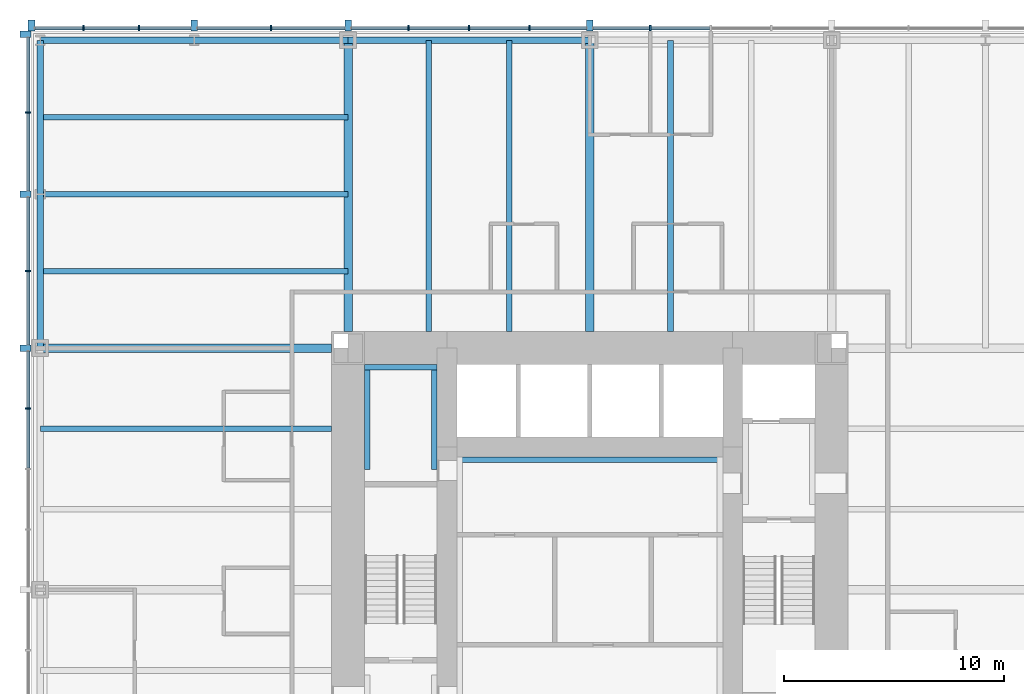
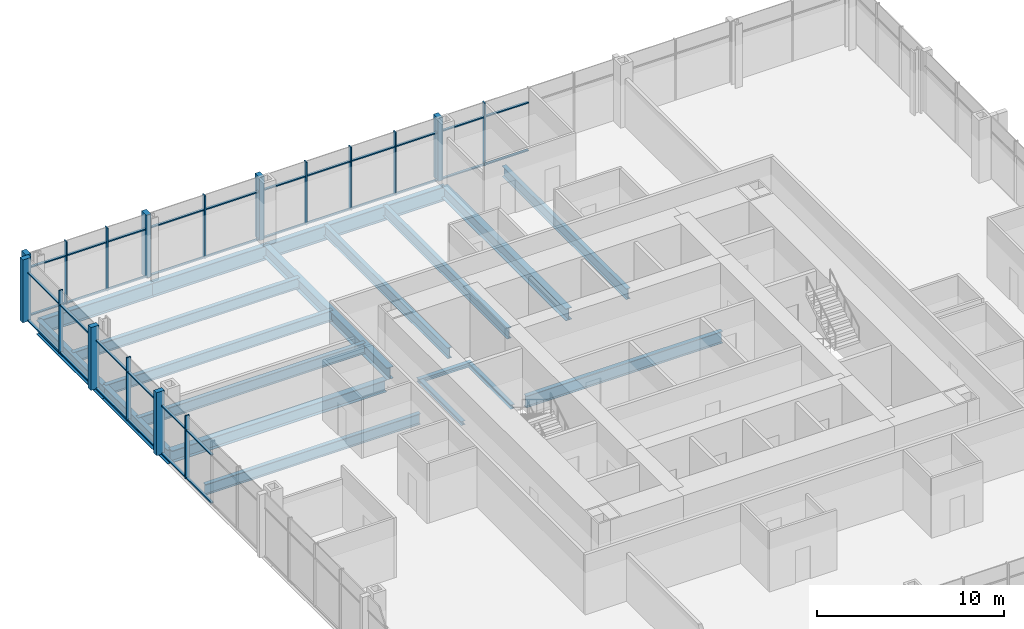
# One storey, part 5 of 12: 51 members, 19 beams, 2 elements without a shape of their own.
"""IFC4 building model written with IfcOpenShell, lengths in metres."""

from ifc_helpers import new_model, si_unit, direction, frame, origin, origin_2d, place, context, subcontext, project, spatial, rectangle, i_section, extrude, material, material_profile, profile_set, type_object, element, aggregate, save


model = new_model("IFC4")

# Units and contexts
model_context = context("Model", 3, precision=1e-05, world=origin(), true_north=direction((0.0, 1.0)))
body_context = subcontext(model_context, "Body", "Model", "MODEL_VIEW")
ifc_project = project(units=[si_unit("LENGTHUNIT", "METRE"), si_unit("AREAUNIT", "SQUARE_METRE"), si_unit("VOLUMEUNIT", "CUBIC_METRE"), si_unit("PLANEANGLEUNIT", "RADIAN"), si_unit("MASSUNIT", "GRAM", prefix="KILO")], contexts=[model_context])

# Site, building, storey
site_placement = place(None, origin())
site = spatial("IfcSite", under=ifc_project, at=site_placement, CompositionType="ELEMENT")
building_placement = place(site_placement, origin())
building = spatial("IfcBuilding", under=site, at=building_placement, Name="Trevanion Tower", CompositionType="ELEMENT")
storey_placement = place(building_placement, frame((0.0, 0.0, 20.10009765625)))
storey = spatial("IfcBuildingStorey", under=building, at=storey_placement, Name="L04", CompositionType="ELEMENT", Elevation=20.10009765625)

# Beams
ifc_material_1 = material(Name="Steel ASTM A992 Grade 50", Category="steel")
ifc_material_profile_1 = material_profile(ifc_material_1, i_section(OverallWidth=0.25390625, OverallDepth=0.700927734375, WebThickness=0.015380859375, FlangeThickness=0.02783203125, at=origin_2d()), Name="W27X129")
ifc_profile_set_1 = profile_set([ifc_material_profile_1], Name="Steel ASTM A992 Grade 50")
beam_type_1 = type_object("IfcBeamType", Name="B3 W27X129", PredefinedType="BEAM", material=ifc_profile_set_1)
for number, where, z_axis, x_axis, name in (
    (1, (3.666748046875, 11.75, -0.54052734375), (0.0, 1.0, 0.0), (-1.0, 0.0, 0.0), "B3 L04"),
    (2, (-3.666748046875, 11.75, -0.54052734375), (0.0, 1.0, 0.0), (-1.0, 0.0, 0.0), "B3 L04"),
    (3, (-7.333251953125, 11.75, -0.54052734375), (0.0, 1.0, 0.0), (-1.0, 0.0, 0.0), "B3 L04"),
    (4, (-11.75, 7.333251953125, -0.54052734375), (-1.0, 0.0, 0.0), (0.0, -1.0, 0.0), "B3 L04"),
):
    element("IfcBeam", number, at=place(storey_placement, frame(where, z_axis=z_axis, x_axis=x_axis)), inside=storey, type_object=beam_type_1, Name=name, PredefinedType="BEAM", context=body_context, shape_type="SweptSolid", body=[
        extrude(i_section(OverallWidth=0.25390625, OverallDepth=0.700927734375, WebThickness=0.015380859375, FlangeThickness=0.02783203125, at=origin_2d()), origin(), (0.0, 0.0, 1.0), 13.25),
    ])
ifc_material_2 = material(Name="Steel ASTM A992 Grade 50", Category="steel")
ifc_material_profile_2 = material_profile(ifc_material_2, i_section(OverallWidth=0.256591796875, OverallDepth=0.693359375, WebThickness=0.014404296875, FlangeThickness=0.023681640625, at=origin_2d()), Name="W27X114")
ifc_profile_set_2 = profile_set([ifc_material_profile_2], Name="Steel ASTM A992 Grade 50")
beam_type_2 = type_object("IfcBeamType", Name="B4 W27X114", PredefinedType="BEAM", material=ifc_profile_set_2)
for number, where, z_axis, x_axis, name in (
    (5, (-11.0, 14.5, -0.536865234375), (-1.0, 0.0, 0.0), (0.0, -1.0, 0.0), "B4 L04"),
    (6, (-11.0, 18.0, -0.536865234375), (-1.0, 0.0, 0.0), (0.0, -1.0, 0.0), "B4 L04"),
    (7, (-11.0, 21.5, -0.536865234375), (-1.0, 0.0, 0.0), (0.0, -1.0, 0.0), "B4 L04"),
):
    element("IfcBeam", number, at=place(storey_placement, frame(where, z_axis=z_axis, x_axis=x_axis)), inside=storey, type_object=beam_type_2, Name=name, PredefinedType="BEAM", context=body_context, shape_type="SweptSolid", body=[
        extrude(i_section(OverallWidth=0.256591796875, OverallDepth=0.693359375, WebThickness=0.014404296875, FlangeThickness=0.023681640625, at=origin_2d()), origin(), (0.0, 0.0, 1.0), 14.0),
    ])

# Curtain wall, members
ifc_material_3 = material(Name="Aluminium and glass", Category="aluminium")
curtain_wall_type = type_object("IfcCurtainWallType", Name="CW1 curtain wall", PredefinedType="USERDEFINED", material=ifc_material_3)
curtain_wall_1_placement = place(storey_placement, origin())
curtain_wall_1 = element("IfcCurtainWall", 8, at=curtain_wall_1_placement, inside=storey, type_object=curtain_wall_type, Name="CW1 L04 1", ObjectType="UNITISED CURTAIN WALL", PredefinedType="USERDEFINED")
ifc_material_4 = material(Name="Aluminium extrusion, anodised bronze", Category="aluminium")
ifc_material_profile_3 = material_profile(ifc_material_4, rectangle(XDim=0.074951171875, YDim=0.25, at=origin_2d()), Name="CW1 mullion")
ifc_profile_set_3 = profile_set([ifc_material_profile_3], Name="Aluminium extrusion, anodised bronze")
member_type_1 = type_object("IfcMemberType", Name="CW1 mullion", PredefinedType="MULLION", material=ifc_profile_set_3)
member_1_placement = place(storey_placement, frame((2.75, 25.550048828125, -0.190185546875), z_axis=(0.0, 0.0, 1.0), x_axis=(-1.0, 0.0, 0.0)))
member_1 = element("IfcMember", 9, at=member_1_placement, type_object=member_type_1, Name="CW1 mullion 8", PredefinedType="MULLION", context=body_context, shape_type="SweptSolid", body=[
    extrude(rectangle(XDim=0.074951171875, YDim=0.25, at=origin_2d()), origin(), (0.0, 0.0, 1.0), 4.10009765625),
])
member_2_placement = place(storey_placement, frame((-2.75, 25.550048828125, -0.190185546875), z_axis=(0.0, 0.0, 1.0), x_axis=(-1.0, 0.0, 0.0)))
member_2 = element("IfcMember", 10, at=member_2_placement, type_object=member_type_1, Name="CW1 mullion 10", PredefinedType="MULLION", context=body_context, shape_type="SweptSolid", body=[
    extrude(rectangle(XDim=0.074951171875, YDim=0.25, at=origin_2d()), origin(), (0.0, 0.0, 1.0), 4.10009765625),
])
member_3_placement = place(storey_placement, frame((-5.5, 25.550048828125, -0.190185546875), z_axis=(0.0, 0.0, 1.0), x_axis=(-1.0, 0.0, 0.0)))
member_3 = element("IfcMember", 11, at=member_3_placement, type_object=member_type_1, Name="CW1 mullion 11", PredefinedType="MULLION", context=body_context, shape_type="SweptSolid", body=[
    extrude(rectangle(XDim=0.074951171875, YDim=0.25, at=origin_2d()), origin(), (0.0, 0.0, 1.0), 4.10009765625),
])
member_4_placement = place(storey_placement, frame((-8.25, 25.550048828125, -0.190185546875), z_axis=(0.0, 0.0, 1.0), x_axis=(-1.0, 0.0, 0.0)))
member_4 = element("IfcMember", 12, at=member_4_placement, type_object=member_type_1, Name="CW1 mullion 12", PredefinedType="MULLION", context=body_context, shape_type="SweptSolid", body=[
    extrude(rectangle(XDim=0.074951171875, YDim=0.25, at=origin_2d()), origin(), (0.0, 0.0, 1.0), 4.10009765625),
])
member_5_placement = place(storey_placement, frame((-14.5, 25.550048828125, -0.190185546875), z_axis=(0.0, 0.0, 1.0), x_axis=(-1.0, 0.0, 0.0)))
member_5 = element("IfcMember", 13, at=member_5_placement, type_object=member_type_1, Name="CW1 mullion 14", PredefinedType="MULLION", context=body_context, shape_type="SweptSolid", body=[
    extrude(rectangle(XDim=0.074951171875, YDim=0.25, at=origin_2d()), origin(), (0.0, 0.0, 1.0), 4.10009765625),
])
member_6_placement = place(storey_placement, frame((-20.5166015625, 25.550048828125, -0.190185546875), z_axis=(0.0, 0.0, 1.0), x_axis=(-1.0, 0.0, 0.0)))
member_6 = element("IfcMember", 14, at=member_6_placement, type_object=member_type_1, Name="CW1 mullion 16", PredefinedType="MULLION", context=body_context, shape_type="SweptSolid", body=[
    extrude(rectangle(XDim=0.074951171875, YDim=0.25, at=origin_2d()), origin(), (0.0, 0.0, 1.0), 4.10009765625),
])
member_7_placement = place(storey_placement, frame((-23.033203125, 25.550048828125, -0.190185546875), z_axis=(0.0, 0.0, 1.0), x_axis=(-1.0, 0.0, 0.0)))
member_7 = element("IfcMember", 15, at=member_7_placement, type_object=member_type_1, Name="CW1 mullion 17", PredefinedType="MULLION", context=body_context, shape_type="SweptSolid", body=[
    extrude(rectangle(XDim=0.074951171875, YDim=0.25, at=origin_2d()), origin(), (0.0, 0.0, 1.0), 4.10009765625),
])

curtain_wall_2_placement = place(storey_placement, origin())
curtain_wall_2 = element("IfcCurtainWall", 16, at=curtain_wall_2_placement, inside=storey, type_object=curtain_wall_type, Name="CW1 L04 2", ObjectType="UNITISED CURTAIN WALL", PredefinedType="USERDEFINED")
member_8_placement = place(storey_placement, frame((-25.550048828125, 21.7099609375, -0.190185546875), z_axis=(0.0, 0.0, 1.0), x_axis=(0.0, -1.0, 0.0)))
member_8 = element("IfcMember", 17, at=member_8_placement, type_object=member_type_1, Name="CW1 mullion 2", PredefinedType="MULLION", context=body_context, shape_type="SweptSolid", body=[
    extrude(rectangle(XDim=0.074951171875, YDim=0.25, at=origin_2d()), origin(), (0.0, 0.0, 1.0), 4.10009765625),
])
member_9_placement = place(storey_placement, frame((-25.550048828125, 14.5, -0.190185546875), z_axis=(0.0, 0.0, 1.0), x_axis=(0.0, -1.0, 0.0)))
member_9 = element("IfcMember", 18, at=member_9_placement, type_object=member_type_1, Name="CW1 mullion 4", PredefinedType="MULLION", context=body_context, shape_type="SweptSolid", body=[
    extrude(rectangle(XDim=0.074951171875, YDim=0.25, at=origin_2d()), origin(), (0.0, 0.0, 1.0), 4.10009765625),
])
member_10_placement = place(storey_placement, frame((-25.550048828125, 8.25, -0.190185546875), z_axis=(0.0, 0.0, 1.0), x_axis=(0.0, -1.0, 0.0)))
member_10 = element("IfcMember", 19, at=member_10_placement, type_object=member_type_1, Name="CW1 mullion 6", PredefinedType="MULLION", context=body_context, shape_type="SweptSolid", body=[
    extrude(rectangle(XDim=0.074951171875, YDim=0.25, at=origin_2d()), origin(), (0.0, 0.0, 1.0), 4.10009765625),
])

# Member
ifc_material_5 = material(Name="Aluminium extrusion, anodised bronze", Category="aluminium")
ifc_material_profile_4 = material_profile(ifc_material_5, rectangle(XDim=0.300048828125, YDim=0.5, at=origin_2d()), Name="CW1 pier mullion")
ifc_profile_set_4 = profile_set([ifc_material_profile_4], Name="Aluminium extrusion, anodised bronze")
member_type_2 = type_object("IfcMemberType", Name="CW1 pier mullion", PredefinedType="MULLION", material=ifc_profile_set_4)
member_11_placement = place(storey_placement, frame((0.0, 25.675048828125, -0.190185546875), z_axis=(0.0, 0.0, 1.0), x_axis=(-1.0, 0.0, 0.0)))
member_11 = element("IfcMember", 20, at=member_11_placement, type_object=member_type_2, Name="CW1 pier mullion 9", PredefinedType="MULLION", context=body_context, shape_type="SweptSolid", body=[
    extrude(rectangle(XDim=0.300048828125, YDim=0.5, at=origin_2d()), origin(), (0.0, 0.0, 1.0), 4.10009765625),
])

member_12_placement = place(storey_placement, frame((-11.0, 25.675048828125, -0.190185546875), z_axis=(0.0, 0.0, 1.0), x_axis=(-1.0, 0.0, 0.0)))
member_12 = element("IfcMember", 21, at=member_12_placement, type_object=member_type_2, Name="CW1 pier mullion 13", PredefinedType="MULLION", context=body_context, shape_type="SweptSolid", body=[
    extrude(rectangle(XDim=0.300048828125, YDim=0.5, at=origin_2d()), origin(), (0.0, 0.0, 1.0), 4.10009765625),
])

member_13_placement = place(storey_placement, frame((-18.0, 25.675048828125, -0.190185546875), z_axis=(0.0, 0.0, 1.0), x_axis=(-1.0, 0.0, 0.0)))
member_13 = element("IfcMember", 22, at=member_13_placement, type_object=member_type_2, Name="CW1 pier mullion 15", PredefinedType="MULLION", context=body_context, shape_type="SweptSolid", body=[
    extrude(rectangle(XDim=0.300048828125, YDim=0.5, at=origin_2d()), origin(), (0.0, 0.0, 1.0), 4.10009765625),
])

member_14_placement = place(storey_placement, frame((-25.39990234375, 25.675048828125, -0.190185546875), z_axis=(0.0, 0.0, 1.0), x_axis=(-1.0, 0.0, 0.0)))
member_14 = element("IfcMember", 23, at=member_14_placement, type_object=member_type_2, Name="CW1 pier mullion 18", PredefinedType="MULLION", context=body_context, shape_type="SweptSolid", body=[
    extrude(rectangle(XDim=0.300048828125, YDim=0.5, at=origin_2d()), origin(), (0.0, 0.0, 1.0), 4.10009765625),
])

member_15_placement = place(storey_placement, frame((-25.675048828125, 25.27001953125, -0.190185546875), z_axis=(0.0, 0.0, 1.0), x_axis=(0.0, -1.0, 0.0)))
member_15 = element("IfcMember", 24, at=member_15_placement, type_object=member_type_2, Name="CW1 pier mullion 1", PredefinedType="MULLION", context=body_context, shape_type="SweptSolid", body=[
    extrude(rectangle(XDim=0.300048828125, YDim=0.5, at=origin_2d()), origin(), (0.0, 0.0, 1.0), 4.10009765625),
])

member_16_placement = place(storey_placement, frame((-25.675048828125, 18.0, -0.190185546875), z_axis=(0.0, 0.0, 1.0), x_axis=(0.0, -1.0, 0.0)))
member_16 = element("IfcMember", 25, at=member_16_placement, type_object=member_type_2, Name="CW1 pier mullion 3", PredefinedType="MULLION", context=body_context, shape_type="SweptSolid", body=[
    extrude(rectangle(XDim=0.300048828125, YDim=0.5, at=origin_2d()), origin(), (0.0, 0.0, 1.0), 4.10009765625),
])

member_17_placement = place(storey_placement, frame((-25.675048828125, 11.0, -0.190185546875), z_axis=(0.0, 0.0, 1.0), x_axis=(0.0, -1.0, 0.0)))
member_17 = element("IfcMember", 26, at=member_17_placement, type_object=member_type_2, Name="CW1 pier mullion 5", PredefinedType="MULLION", context=body_context, shape_type="SweptSolid", body=[
    extrude(rectangle(XDim=0.300048828125, YDim=0.5, at=origin_2d()), origin(), (0.0, 0.0, 1.0), 4.10009765625),
])

ifc_material_6 = material(Name="Aluminium extrusion, anodised bronze", Category="aluminium")
ifc_material_profile_5 = material_profile(ifc_material_6, rectangle(XDim=0.14990234375, YDim=0.074951171875, at=origin_2d()), Name="CW1 transom")
ifc_profile_set_5 = profile_set([ifc_material_profile_5], Name="Aluminium extrusion, anodised bronze")
member_type_3 = type_object("IfcMemberType", Name="CW1 transom", PredefinedType="USERDEFINED", material=ifc_profile_set_5)
member_18_placement = place(storey_placement, frame((5.46240234375, 25.550048828125, -0.152587890625), z_axis=(-1.0, 0.0, 0.0), x_axis=(0.0, -1.0, 0.0)))
member_18 = element("IfcMember", 27, at=member_18_placement, type_object=member_type_3, Name="CW1 transom 7.1", ObjectType="TRANSOM", PredefinedType="USERDEFINED", context=body_context, shape_type="SweptSolid", body=[
    extrude(rectangle(XDim=0.14990234375, YDim=0.074951171875, at=origin_2d()), origin(), (0.0, 0.0, 1.0), 2.6748046875),
])

member_19_placement = place(storey_placement, frame((5.46240234375, 25.550048828125, 2.9599609375), z_axis=(-1.0, 0.0, 0.0), x_axis=(0.0, -1.0, 0.0)))
member_19 = element("IfcMember", 28, at=member_19_placement, type_object=member_type_3, Name="CW1 transom 7.2", ObjectType="TRANSOM", PredefinedType="USERDEFINED", context=body_context, shape_type="SweptSolid", body=[
    extrude(rectangle(XDim=0.14990234375, YDim=0.074951171875, at=origin_2d()), origin(), (0.0, 0.0, 1.0), 2.6748046875),
])

member_20_placement = place(storey_placement, frame((2.71240234375, 25.550048828125, -0.152587890625), z_axis=(-1.0, 0.0, 0.0), x_axis=(0.0, -1.0, 0.0)))
member_20 = element("IfcMember", 29, at=member_20_placement, type_object=member_type_3, Name="CW1 transom 8.1", ObjectType="TRANSOM", PredefinedType="USERDEFINED", context=body_context, shape_type="SweptSolid", body=[
    extrude(rectangle(XDim=0.14990234375, YDim=0.074951171875, at=origin_2d()), origin(), (0.0, 0.0, 1.0), 2.5625),
])

member_21_placement = place(storey_placement, frame((2.71240234375, 25.550048828125, 2.9599609375), z_axis=(-1.0, 0.0, 0.0), x_axis=(0.0, -1.0, 0.0)))
member_21 = element("IfcMember", 30, at=member_21_placement, type_object=member_type_3, Name="CW1 transom 8.2", ObjectType="TRANSOM", PredefinedType="USERDEFINED", context=body_context, shape_type="SweptSolid", body=[
    extrude(rectangle(XDim=0.14990234375, YDim=0.074951171875, at=origin_2d()), origin(), (0.0, 0.0, 1.0), 2.5625),
])

member_22_placement = place(storey_placement, frame((-0.14990234375, 25.550048828125, -0.152587890625), z_axis=(-1.0, 0.0, 0.0), x_axis=(0.0, -1.0, 0.0)))
member_22 = element("IfcMember", 31, at=member_22_placement, type_object=member_type_3, Name="CW1 transom 9.1", ObjectType="TRANSOM", PredefinedType="USERDEFINED", context=body_context, shape_type="SweptSolid", body=[
    extrude(rectangle(XDim=0.14990234375, YDim=0.074951171875, at=origin_2d()), origin(), (0.0, 0.0, 1.0), 2.5625),
])

member_23_placement = place(storey_placement, frame((-0.14990234375, 25.550048828125, 2.9599609375), z_axis=(-1.0, 0.0, 0.0), x_axis=(0.0, -1.0, 0.0)))
member_23 = element("IfcMember", 32, at=member_23_placement, type_object=member_type_3, Name="CW1 transom 9.2", ObjectType="TRANSOM", PredefinedType="USERDEFINED", context=body_context, shape_type="SweptSolid", body=[
    extrude(rectangle(XDim=0.14990234375, YDim=0.074951171875, at=origin_2d()), origin(), (0.0, 0.0, 1.0), 2.5625),
])

member_24_placement = place(storey_placement, frame((-2.78759765625, 25.550048828125, -0.152587890625), z_axis=(-1.0, 0.0, 0.0), x_axis=(0.0, -1.0, 0.0)))
member_24 = element("IfcMember", 33, at=member_24_placement, type_object=member_type_3, Name="CW1 transom 10.1", ObjectType="TRANSOM", PredefinedType="USERDEFINED", context=body_context, shape_type="SweptSolid", body=[
    extrude(rectangle(XDim=0.14990234375, YDim=0.074951171875, at=origin_2d()), origin(), (0.0, 0.0, 1.0), 2.6748046875),
])

member_25_placement = place(storey_placement, frame((-2.78759765625, 25.550048828125, 2.9599609375), z_axis=(-1.0, 0.0, 0.0), x_axis=(0.0, -1.0, 0.0)))
member_25 = element("IfcMember", 34, at=member_25_placement, type_object=member_type_3, Name="CW1 transom 10.2", ObjectType="TRANSOM", PredefinedType="USERDEFINED", context=body_context, shape_type="SweptSolid", body=[
    extrude(rectangle(XDim=0.14990234375, YDim=0.074951171875, at=origin_2d()), origin(), (0.0, 0.0, 1.0), 2.6748046875),
])

member_26_placement = place(storey_placement, frame((-5.53759765625, 25.550048828125, -0.152587890625), z_axis=(-1.0, 0.0, 0.0), x_axis=(0.0, -1.0, 0.0)))
member_26 = element("IfcMember", 35, at=member_26_placement, type_object=member_type_3, Name="CW1 transom 11.1", ObjectType="TRANSOM", PredefinedType="USERDEFINED", context=body_context, shape_type="SweptSolid", body=[
    extrude(rectangle(XDim=0.14990234375, YDim=0.074951171875, at=origin_2d()), origin(), (0.0, 0.0, 1.0), 2.6748046875),
])

member_27_placement = place(storey_placement, frame((-5.53759765625, 25.550048828125, 2.9599609375), z_axis=(-1.0, 0.0, 0.0), x_axis=(0.0, -1.0, 0.0)))
member_27 = element("IfcMember", 36, at=member_27_placement, type_object=member_type_3, Name="CW1 transom 11.2", ObjectType="TRANSOM", PredefinedType="USERDEFINED", context=body_context, shape_type="SweptSolid", body=[
    extrude(rectangle(XDim=0.14990234375, YDim=0.074951171875, at=origin_2d()), origin(), (0.0, 0.0, 1.0), 2.6748046875),
])

member_28_placement = place(storey_placement, frame((-8.28759765625, 25.550048828125, -0.152587890625), z_axis=(-1.0, 0.0, 0.0), x_axis=(0.0, -1.0, 0.0)))
member_28 = element("IfcMember", 37, at=member_28_placement, type_object=member_type_3, Name="CW1 transom 12.1", ObjectType="TRANSOM", PredefinedType="USERDEFINED", context=body_context, shape_type="SweptSolid", body=[
    extrude(rectangle(XDim=0.14990234375, YDim=0.074951171875, at=origin_2d()), origin(), (0.0, 0.0, 1.0), 2.5625),
])

member_29_placement = place(storey_placement, frame((-8.28759765625, 25.550048828125, 2.9599609375), z_axis=(-1.0, 0.0, 0.0), x_axis=(0.0, -1.0, 0.0)))
member_29 = element("IfcMember", 38, at=member_29_placement, type_object=member_type_3, Name="CW1 transom 12.2", ObjectType="TRANSOM", PredefinedType="USERDEFINED", context=body_context, shape_type="SweptSolid", body=[
    extrude(rectangle(XDim=0.14990234375, YDim=0.074951171875, at=origin_2d()), origin(), (0.0, 0.0, 1.0), 2.5625),
])

member_30_placement = place(storey_placement, frame((-11.14990234375, 25.550048828125, -0.152587890625), z_axis=(-1.0, 0.0, 0.0), x_axis=(0.0, -1.0, 0.0)))
member_30 = element("IfcMember", 39, at=member_30_placement, type_object=member_type_3, Name="CW1 transom 13.1", ObjectType="TRANSOM", PredefinedType="USERDEFINED", context=body_context, shape_type="SweptSolid", body=[
    extrude(rectangle(XDim=0.14990234375, YDim=0.074951171875, at=origin_2d()), origin(), (0.0, 0.0, 1.0), 3.3125),
])

member_31_placement = place(storey_placement, frame((-11.14990234375, 25.550048828125, 2.9599609375), z_axis=(-1.0, 0.0, 0.0), x_axis=(0.0, -1.0, 0.0)))
member_31 = element("IfcMember", 40, at=member_31_placement, type_object=member_type_3, Name="CW1 transom 13.2", ObjectType="TRANSOM", PredefinedType="USERDEFINED", context=body_context, shape_type="SweptSolid", body=[
    extrude(rectangle(XDim=0.14990234375, YDim=0.074951171875, at=origin_2d()), origin(), (0.0, 0.0, 1.0), 3.3125),
])

member_32_placement = place(storey_placement, frame((-14.53759765625, 25.550048828125, -0.152587890625), z_axis=(-1.0, 0.0, 0.0), x_axis=(0.0, -1.0, 0.0)))
member_32 = element("IfcMember", 41, at=member_32_placement, type_object=member_type_3, Name="CW1 transom 14.1", ObjectType="TRANSOM", PredefinedType="USERDEFINED", context=body_context, shape_type="SweptSolid", body=[
    extrude(rectangle(XDim=0.14990234375, YDim=0.074951171875, at=origin_2d()), origin(), (0.0, 0.0, 1.0), 3.3125),
])

member_33_placement = place(storey_placement, frame((-14.53759765625, 25.550048828125, 2.9599609375), z_axis=(-1.0, 0.0, 0.0), x_axis=(0.0, -1.0, 0.0)))
member_33 = element("IfcMember", 42, at=member_33_placement, type_object=member_type_3, Name="CW1 transom 14.2", ObjectType="TRANSOM", PredefinedType="USERDEFINED", context=body_context, shape_type="SweptSolid", body=[
    extrude(rectangle(XDim=0.14990234375, YDim=0.074951171875, at=origin_2d()), origin(), (0.0, 0.0, 1.0), 3.3125),
])

member_34_placement = place(storey_placement, frame((-18.14990234375, 25.550048828125, -0.152587890625), z_axis=(-1.0, 0.0, 0.0), x_axis=(0.0, -1.0, 0.0)))
member_34 = element("IfcMember", 43, at=member_34_placement, type_object=member_type_3, Name="CW1 transom 15.1", ObjectType="TRANSOM", PredefinedType="USERDEFINED", context=body_context, shape_type="SweptSolid", body=[
    extrude(rectangle(XDim=0.14990234375, YDim=0.074951171875, at=origin_2d()), origin(), (0.0, 0.0, 1.0), 2.329345703125),
])

member_35_placement = place(storey_placement, frame((-18.14990234375, 25.550048828125, 2.9599609375), z_axis=(-1.0, 0.0, 0.0), x_axis=(0.0, -1.0, 0.0)))
member_35 = element("IfcMember", 44, at=member_35_placement, type_object=member_type_3, Name="CW1 transom 15.2", ObjectType="TRANSOM", PredefinedType="USERDEFINED", context=body_context, shape_type="SweptSolid", body=[
    extrude(rectangle(XDim=0.14990234375, YDim=0.074951171875, at=origin_2d()), origin(), (0.0, 0.0, 1.0), 2.329345703125),
])

member_36_placement = place(storey_placement, frame((-20.55419921875, 25.550048828125, -0.152587890625), z_axis=(-1.0, 0.0, 0.0), x_axis=(0.0, -1.0, 0.0)))
member_36 = element("IfcMember", 45, at=member_36_placement, type_object=member_type_3, Name="CW1 transom 16.1", ObjectType="TRANSOM", PredefinedType="USERDEFINED", context=body_context, shape_type="SweptSolid", body=[
    extrude(rectangle(XDim=0.14990234375, YDim=0.074951171875, at=origin_2d()), origin(), (0.0, 0.0, 1.0), 2.441650390625),
])

member_37_placement = place(storey_placement, frame((-20.55419921875, 25.550048828125, 2.9599609375), z_axis=(-1.0, 0.0, 0.0), x_axis=(0.0, -1.0, 0.0)))
member_37 = element("IfcMember", 46, at=member_37_placement, type_object=member_type_3, Name="CW1 transom 16.2", ObjectType="TRANSOM", PredefinedType="USERDEFINED", context=body_context, shape_type="SweptSolid", body=[
    extrude(rectangle(XDim=0.14990234375, YDim=0.074951171875, at=origin_2d()), origin(), (0.0, 0.0, 1.0), 2.441650390625),
])

member_38_placement = place(storey_placement, frame((-23.07080078125, 25.550048828125, -0.152587890625), z_axis=(-1.0, 0.0, 0.0), x_axis=(0.0, -1.0, 0.0)))
member_38 = element("IfcMember", 47, at=member_38_placement, type_object=member_type_3, Name="CW1 transom 17.1", ObjectType="TRANSOM", PredefinedType="USERDEFINED", context=body_context, shape_type="SweptSolid", body=[
    extrude(rectangle(XDim=0.14990234375, YDim=0.074951171875, at=origin_2d()), origin(), (0.0, 0.0, 1.0), 2.17919921875),
])

member_39_placement = place(storey_placement, frame((-23.07080078125, 25.550048828125, 2.9599609375), z_axis=(-1.0, 0.0, 0.0), x_axis=(0.0, -1.0, 0.0)))
member_39 = element("IfcMember", 48, at=member_39_placement, type_object=member_type_3, Name="CW1 transom 17.2", ObjectType="TRANSOM", PredefinedType="USERDEFINED", context=body_context, shape_type="SweptSolid", body=[
    extrude(rectangle(XDim=0.14990234375, YDim=0.074951171875, at=origin_2d()), origin(), (0.0, 0.0, 1.0), 2.17919921875),
])

aggregate(curtain_wall_1, [member_1, member_11, member_2, member_3, member_4, member_12, member_5, member_13, member_6, member_7, member_14, member_18, member_19, member_20, member_21, member_22, member_23, member_24, member_25, member_26, member_27, member_28, member_29, member_30, member_31, member_32, member_33, member_34, member_35, member_36, member_37, member_38, member_39])

member_40_placement = place(storey_placement, frame((-25.550048828125, 25.1201171875, -0.152587890625), z_axis=(0.0, -1.0, 0.0), x_axis=(1.0, 0.0, 0.0)))
member_40 = element("IfcMember", 49, at=member_40_placement, type_object=member_type_3, Name="CW1 transom 1.1", ObjectType="TRANSOM", PredefinedType="USERDEFINED", context=body_context, shape_type="SweptSolid", body=[
    extrude(rectangle(XDim=0.14990234375, YDim=0.074951171875, at=origin_2d()), origin(), (0.0, 0.0, 1.0), 3.37255859375),
])

member_41_placement = place(storey_placement, frame((-25.550048828125, 25.1201171875, 2.9599609375), z_axis=(0.0, -1.0, 0.0), x_axis=(1.0, 0.0, 0.0)))
member_41 = element("IfcMember", 50, at=member_41_placement, type_object=member_type_3, Name="CW1 transom 1.2", ObjectType="TRANSOM", PredefinedType="USERDEFINED", context=body_context, shape_type="SweptSolid", body=[
    extrude(rectangle(XDim=0.14990234375, YDim=0.074951171875, at=origin_2d()), origin(), (0.0, 0.0, 1.0), 3.37255859375),
])

member_42_placement = place(storey_placement, frame((-25.550048828125, 21.672607421875, -0.152587890625), z_axis=(0.0, -1.0, 0.0), x_axis=(1.0, 0.0, 0.0)))
member_42 = element("IfcMember", 51, at=member_42_placement, type_object=member_type_3, Name="CW1 transom 2.1", ObjectType="TRANSOM", PredefinedType="USERDEFINED", context=body_context, shape_type="SweptSolid", body=[
    extrude(rectangle(XDim=0.14990234375, YDim=0.074951171875, at=origin_2d()), origin(), (0.0, 0.0, 1.0), 3.522705078125),
])

member_43_placement = place(storey_placement, frame((-25.550048828125, 21.672607421875, 2.9599609375), z_axis=(0.0, -1.0, 0.0), x_axis=(1.0, 0.0, 0.0)))
member_43 = element("IfcMember", 52, at=member_43_placement, type_object=member_type_3, Name="CW1 transom 2.2", ObjectType="TRANSOM", PredefinedType="USERDEFINED", context=body_context, shape_type="SweptSolid", body=[
    extrude(rectangle(XDim=0.14990234375, YDim=0.074951171875, at=origin_2d()), origin(), (0.0, 0.0, 1.0), 3.522705078125),
])

member_44_placement = place(storey_placement, frame((-25.550048828125, 17.85009765625, -0.152587890625), z_axis=(0.0, -1.0, 0.0), x_axis=(1.0, 0.0, 0.0)))
member_44 = element("IfcMember", 53, at=member_44_placement, type_object=member_type_3, Name="CW1 transom 3.1", ObjectType="TRANSOM", PredefinedType="USERDEFINED", context=body_context, shape_type="SweptSolid", body=[
    extrude(rectangle(XDim=0.14990234375, YDim=0.074951171875, at=origin_2d()), origin(), (0.0, 0.0, 1.0), 3.3125),
])

member_45_placement = place(storey_placement, frame((-25.550048828125, 17.85009765625, 2.9599609375), z_axis=(0.0, -1.0, 0.0), x_axis=(1.0, 0.0, 0.0)))
member_45 = element("IfcMember", 54, at=member_45_placement, type_object=member_type_3, Name="CW1 transom 3.2", ObjectType="TRANSOM", PredefinedType="USERDEFINED", context=body_context, shape_type="SweptSolid", body=[
    extrude(rectangle(XDim=0.14990234375, YDim=0.074951171875, at=origin_2d()), origin(), (0.0, 0.0, 1.0), 3.3125),
])

member_46_placement = place(storey_placement, frame((-25.550048828125, 14.46240234375, -0.152587890625), z_axis=(0.0, -1.0, 0.0), x_axis=(1.0, 0.0, 0.0)))
member_46 = element("IfcMember", 55, at=member_46_placement, type_object=member_type_3, Name="CW1 transom 4.1", ObjectType="TRANSOM", PredefinedType="USERDEFINED", context=body_context, shape_type="SweptSolid", body=[
    extrude(rectangle(XDim=0.14990234375, YDim=0.074951171875, at=origin_2d()), origin(), (0.0, 0.0, 1.0), 3.3125),
])

member_47_placement = place(storey_placement, frame((-25.550048828125, 14.46240234375, 2.9599609375), z_axis=(0.0, -1.0, 0.0), x_axis=(1.0, 0.0, 0.0)))
member_47 = element("IfcMember", 56, at=member_47_placement, type_object=member_type_3, Name="CW1 transom 4.2", ObjectType="TRANSOM", PredefinedType="USERDEFINED", context=body_context, shape_type="SweptSolid", body=[
    extrude(rectangle(XDim=0.14990234375, YDim=0.074951171875, at=origin_2d()), origin(), (0.0, 0.0, 1.0), 3.3125),
])

member_48_placement = place(storey_placement, frame((-25.550048828125, 10.85009765625, -0.152587890625), z_axis=(0.0, -1.0, 0.0), x_axis=(1.0, 0.0, 0.0)))
member_48 = element("IfcMember", 57, at=member_48_placement, type_object=member_type_3, Name="CW1 transom 5.1", ObjectType="TRANSOM", PredefinedType="USERDEFINED", context=body_context, shape_type="SweptSolid", body=[
    extrude(rectangle(XDim=0.14990234375, YDim=0.074951171875, at=origin_2d()), origin(), (0.0, 0.0, 1.0), 2.5625),
])

member_49_placement = place(storey_placement, frame((-25.550048828125, 10.85009765625, 2.9599609375), z_axis=(0.0, -1.0, 0.0), x_axis=(1.0, 0.0, 0.0)))
member_49 = element("IfcMember", 58, at=member_49_placement, type_object=member_type_3, Name="CW1 transom 5.2", ObjectType="TRANSOM", PredefinedType="USERDEFINED", context=body_context, shape_type="SweptSolid", body=[
    extrude(rectangle(XDim=0.14990234375, YDim=0.074951171875, at=origin_2d()), origin(), (0.0, 0.0, 1.0), 2.5625),
])

member_50_placement = place(storey_placement, frame((-25.550048828125, 8.21240234375, -0.152587890625), z_axis=(0.0, -1.0, 0.0), x_axis=(1.0, 0.0, 0.0)))
member_50 = element("IfcMember", 59, at=member_50_placement, type_object=member_type_3, Name="CW1 transom 6.1", ObjectType="TRANSOM", PredefinedType="USERDEFINED", context=body_context, shape_type="SweptSolid", body=[
    extrude(rectangle(XDim=0.14990234375, YDim=0.074951171875, at=origin_2d()), origin(), (0.0, 0.0, 1.0), 2.6748046875),
])

member_51_placement = place(storey_placement, frame((-25.550048828125, 8.21240234375, 2.9599609375), z_axis=(0.0, -1.0, 0.0), x_axis=(1.0, 0.0, 0.0)))
member_51 = element("IfcMember", 60, at=member_51_placement, type_object=member_type_3, Name="CW1 transom 6.2", ObjectType="TRANSOM", PredefinedType="USERDEFINED", context=body_context, shape_type="SweptSolid", body=[
    extrude(rectangle(XDim=0.14990234375, YDim=0.074951171875, at=origin_2d()), origin(), (0.0, 0.0, 1.0), 2.6748046875),
])

aggregate(curtain_wall_2, [member_15, member_8, member_16, member_9, member_17, member_10, member_40, member_41, member_42, member_43, member_44, member_45, member_46, member_47, member_48, member_49, member_50, member_51])

# Beams
ifc_material_7 = material(Name="Steel ASTM A992 Grade 50", Category="steel")
ifc_material_profile_6 = material_profile(ifc_material_7, i_section(OverallWidth=0.381103515625, OverallDepth=0.77978515625, WebThickness=0.01806640625, FlangeThickness=0.0302734375, at=origin_2d()), Name="W30X191")
ifc_profile_set_6 = profile_set([ifc_material_profile_6], Name="Steel ASTM A992 Grade 50")
beam_type_3 = type_object("IfcBeamType", Name="G2 W30X191", PredefinedType="BEAM", material=ifc_profile_set_6)
for number, where, z_axis, x_axis, name in (
    (61, (0.0, 11.75, -0.580078125), (0.0, 1.0, 0.0), (-1.0, 0.0, 0.0), "G2 L04"),
    (62, (-11.0, 11.75, -0.580078125), (0.0, 1.0, 0.0), (-1.0, 0.0, 0.0), "G2 L04"),
    (63, (-11.75, 11.0, -0.580078125), (-1.0, 0.0, 0.0), (0.0, -1.0, 0.0), "G2 L04"),
):
    element("IfcBeam", number, at=place(storey_placement, frame(where, z_axis=z_axis, x_axis=x_axis)), inside=storey, type_object=beam_type_3, Name=name, PredefinedType="BEAM", context=body_context, shape_type="SweptSolid", body=[
        extrude(i_section(OverallWidth=0.381103515625, OverallDepth=0.77978515625, WebThickness=0.01806640625, FlangeThickness=0.0302734375, at=origin_2d()), origin(), (0.0, 0.0, 1.0), 13.25),
    ])
ifc_material_8 = material(Name="Steel ASTM A992 Grade 50", Category="steel")
ifc_material_profile_7 = material_profile(ifc_material_8, i_section(OverallWidth=0.256591796875, OverallDepth=0.26416015625, WebThickness=0.011962890625, FlangeThickness=0.01953125, at=origin_2d()), Name="W10X68")
ifc_profile_set_7 = profile_set([ifc_material_profile_7], Name="Steel ASTM A992 Grade 50")
beam_type_4 = type_object("IfcBeamType", Name="LB1 W10X68", PredefinedType="BEAM", material=ifc_profile_set_7)
for number, where, z_axis, x_axis, name in (
    (64, (-10.12158203125, 5.47509765625, -0.332275390625), (0.0, 1.0, 0.0), (-1.0, 0.0, 0.0), "LB1 L04"),
    (65, (-7.078369140625, 5.47509765625, -0.332275390625), (0.0, 1.0, 0.0), (-1.0, 0.0, 0.0), "LB1 L04"),
):
    element("IfcBeam", number, at=place(storey_placement, frame(where, z_axis=z_axis, x_axis=x_axis)), inside=storey, type_object=beam_type_4, Name=name, PredefinedType="BEAM", context=body_context, shape_type="SweptSolid", body=[
        extrude(i_section(OverallWidth=0.256591796875, OverallDepth=0.26416015625, WebThickness=0.011962890625, FlangeThickness=0.01953125, at=origin_2d()), origin(), (0.0, 0.0, 1.0), 4.77490234375),
    ])
beam_1_placement = place(storey_placement, frame((-10.25, 10.12158203125, -0.332275390625), z_axis=(1.0, 0.0, 0.0), x_axis=(0.0, 1.0, 0.0)))
element("IfcBeam", 66, at=beam_1_placement, inside=storey, type_object=beam_type_4, Name="LB1 L04", PredefinedType="BEAM", context=body_context, shape_type="SweptSolid", body=[
    extrude(i_section(OverallWidth=0.256591796875, OverallDepth=0.26416015625, WebThickness=0.011962890625, FlangeThickness=0.01953125, at=origin_2d()), origin(), (0.0, 0.0, 1.0), 3.300048828125),
])
ifc_material_9 = material(Name="Steel ASTM A992 Grade 50", Category="steel")
ifc_material_profile_8 = material_profile(ifc_material_9, i_section(OverallWidth=0.2666015625, OverallDepth=0.76953125, WebThickness=0.015625, FlangeThickness=0.025390625, at=origin_2d()), Name="W30X132")
ifc_profile_set_8 = profile_set([ifc_material_profile_8], Name="Steel ASTM A992 Grade 50")
beam_type_5 = type_object("IfcBeamType", Name="LB3 W30X132", PredefinedType="BEAM", material=ifc_profile_set_8)
beam_2_placement = place(storey_placement, frame((-6.050048828125, 5.91650390625, -0.5849609375), z_axis=(1.0, 0.0, 0.0), x_axis=(0.0, 1.0, 0.0)))
element("IfcBeam", 67, at=beam_2_placement, inside=storey, type_object=beam_type_5, Name="LB3 L04", PredefinedType="BEAM", context=body_context, shape_type="SweptSolid", body=[
    extrude(i_section(OverallWidth=0.2666015625, OverallDepth=0.76953125, WebThickness=0.015625, FlangeThickness=0.025390625, at=origin_2d()), origin(), (0.0, 0.0, 1.0), 12.10009765625),
])
ifc_material_10 = material(Name="Steel ASTM A992 Grade 50", Category="steel")
ifc_material_profile_9 = material_profile(ifc_material_10, i_section(OverallWidth=0.307373046875, OverallDepth=0.927001953125, WebThickness=0.01953125, FlangeThickness=0.031982421875, at=origin_2d()), Name="W36X194")
ifc_profile_set_9 = profile_set([ifc_material_profile_9], Name="Steel ASTM A992 Grade 50")
beam_type_6 = type_object("IfcBeamType", Name="SB2 W36X194", PredefinedType="SPANDREL", material=ifc_profile_set_9)
beam_3_placement = place(storey_placement, frame((0.0, 25.0, -0.65380859375), z_axis=(-1.0, 0.0, 0.0), x_axis=(0.0, -1.0, 0.0)))
element("IfcBeam", 68, at=beam_3_placement, inside=storey, type_object=beam_type_6, Name="SB2 L04", PredefinedType="SPANDREL", context=body_context, shape_type="SweptSolid", body=[
    extrude(i_section(OverallWidth=0.307373046875, OverallDepth=0.927001953125, WebThickness=0.01953125, FlangeThickness=0.031982421875, at=origin_2d()), origin(), (0.0, 0.0, 1.0), 11.0),
])
for number, where, z_axis, x_axis, name in (
    (69, (-11.0, 25.0, -0.65380859375), (-1.0, 0.0, 0.0), (0.0, -1.0, 0.0), "SB2 L04"),
    (70, (-18.0, 25.0, -0.65380859375), (-1.0, 0.0, 0.0), (0.0, -1.0, 0.0), "SB2 L04"),
    (71, (-25.0, 25.0, -0.65380859375), (0.0, -1.0, 0.0), (1.0, 0.0, 0.0), "SB2 L04"),
    (72, (-25.0, 18.0, -0.65380859375), (0.0, -1.0, 0.0), (1.0, 0.0, 0.0), "SB2 L04"),
):
    element("IfcBeam", number, at=place(storey_placement, frame(where, z_axis=z_axis, x_axis=x_axis)), inside=storey, type_object=beam_type_6, Name=name, PredefinedType="SPANDREL", context=body_context, shape_type="SweptSolid", body=[
        extrude(i_section(OverallWidth=0.307373046875, OverallDepth=0.927001953125, WebThickness=0.01953125, FlangeThickness=0.031982421875, at=origin_2d()), origin(), (0.0, 0.0, 1.0), 7.0),
    ])

save(model, "model.ifc")
